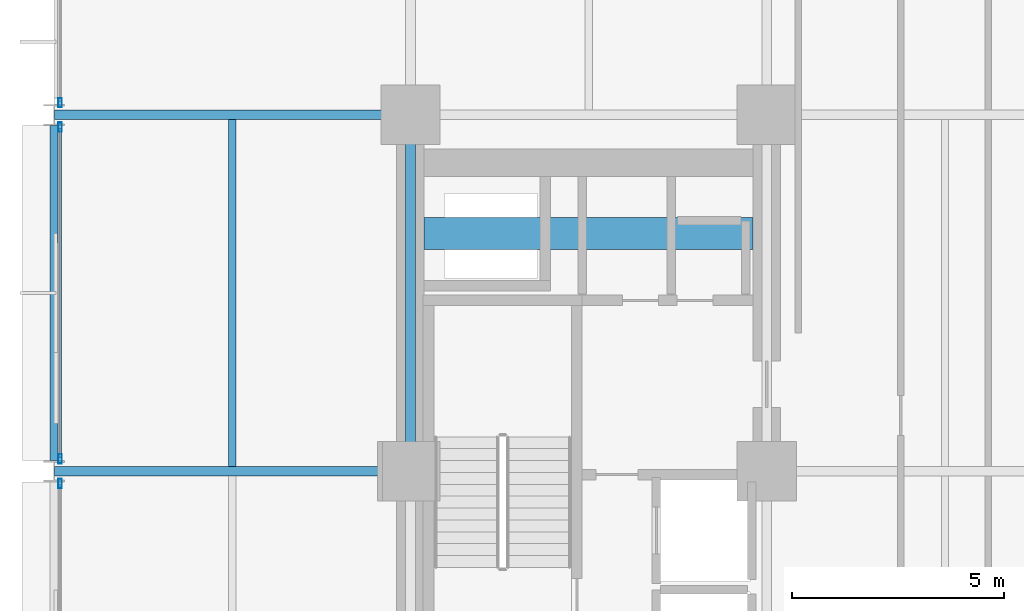
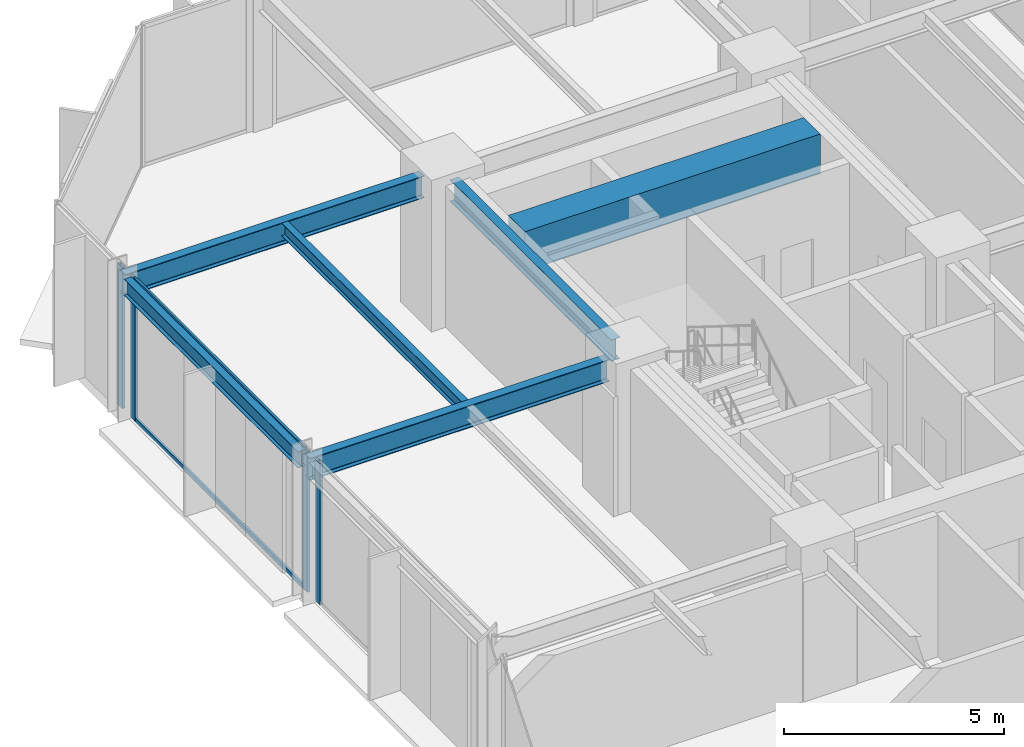
# One storey, part 16 of 30: 6 beams, 6 members, 3 elements without a shape of their own.
"""IFC4 building model written with IfcOpenShell, lengths in metres."""

from ifc_helpers import new_model, si_unit, direction, frame, origin, origin_2d, place, context, subcontext, project, spatial, rectangle, hollow_rectangle, i_section, extrude, material, layer, layer_set, material_profile, profile_set, type_object, element, aggregate, save


model = new_model("IFC4")

# Units and contexts
model_context = context("Model", 3, precision=1e-05, world=origin(), true_north=direction((0.0, 1.0)))
body_context = subcontext(model_context, "Body", "Model", "MODEL_VIEW")
ifc_project = project(units=[si_unit("LENGTHUNIT", "METRE"), si_unit("AREAUNIT", "SQUARE_METRE"), si_unit("VOLUMEUNIT", "CUBIC_METRE"), si_unit("PLANEANGLEUNIT", "RADIAN"), si_unit("MASSUNIT", "GRAM", prefix="KILO")], contexts=[model_context])

# Site, building, storey
site_placement = place(None, origin())
site = spatial("IfcSite", under=ifc_project, at=site_placement, CompositionType="ELEMENT")
building_placement = place(site_placement, origin())
building = spatial("IfcBuilding", under=site, at=building_placement, Name="Nerrivon Quay Data Exchange", CompositionType="ELEMENT")
storey_placement = place(building_placement, frame((0.0, 0.0, 62.60009765625)))
storey = spatial("IfcBuildingStorey", under=building, at=storey_placement, Name="L14", CompositionType="ELEMENT", Elevation=62.60009765625)

# Beams
ifc_material_1 = material(Name="Concrete S65 (65 MPa)", Category="concrete")
ifc_material_profile_1 = material_profile(ifc_material_1, rectangle(XDim=0.75, YDim=1.10009765625, at=origin_2d()), Name="RC-CB-750x1100")
ifc_profile_set_1 = profile_set([ifc_material_profile_1], Name="Concrete S65 (65 MPa)")
beam_type_1 = type_object("IfcBeamType", Name="BM-CB1-750x1100", PredefinedType="LINTEL", material=ifc_profile_set_1)
beam_1_placement = place(storey_placement, frame((8.72509765625, 39.199951171875, 3.375), z_axis=(1.0, 0.0, 0.0), x_axis=(0.0, 1.0, 0.0)))
element("IfcBeam", 1, at=beam_1_placement, inside=storey, type_object=beam_type_1, Name="L14 West Core Coupling Beam", PredefinedType="LINTEL", context=body_context, shape_type="SweptSolid", body=[
    extrude(rectangle(XDim=0.75, YDim=1.10009765625, at=origin_2d()), origin(), (0.0, 0.0, 1.0), 7.75),
])
ifc_material_2 = material(Name="Steel Grade 350", Category="steel")
ifc_material_profile_2 = material_profile(ifc_material_2, i_section(OverallWidth=0.22900390625, OverallDepth=0.612060546875, WebThickness=0.011962890625, FlangeThickness=0.01953125, FilletRadius=0.013916015625, at=origin_2d()), Name="610UB125")
ifc_profile_set_2 = profile_set([ifc_material_profile_2], Name="Steel Grade 350")
beam_type_2 = type_object("IfcBeamType", Name="BM-G1-610UB125", PredefinedType="BEAM", material=ifc_profile_set_2)
for number, where, z_axis, x_axis, name in (
    (2, (0.013916015625, 33.60009765625, 3.618896484375), (1.0, 0.0, 0.0), (0.0, 1.0, 0.0), "L14 EW Girder Y=33.6 (0.0..8.4)"),
    (3, (0.013916015625, 42.0, 3.618896484375), (1.0, 0.0, 0.0), (0.0, 1.0, 0.0), "L14 EW Girder Y=42.0 (0.0..8.4)"),
):
    element("IfcBeam", number, at=place(storey_placement, frame(where, z_axis=z_axis, x_axis=x_axis)), inside=storey, type_object=beam_type_2, Name=name, PredefinedType="BEAM", context=body_context, shape_type="SweptSolid", body=[
        extrude(i_section(OverallWidth=0.22900390625, OverallDepth=0.612060546875, WebThickness=0.011962890625, FlangeThickness=0.01953125, FilletRadius=0.013916015625, at=origin_2d()), origin(), (0.0, 0.0, 1.0), 7.84619140625),
    ])
ifc_material_profile_3 = material_profile(ifc_material_2, i_section(OverallWidth=0.22802734375, OverallDepth=0.60205078125, WebThickness=0.010498046875, FlangeThickness=0.014892578125, FilletRadius=0.013916015625, at=origin_2d()), Name="610UB101")
ifc_profile_set_3 = profile_set([ifc_material_profile_3], Name="Steel Grade 350")
beam_type_3 = type_object("IfcBeamType", Name="BM-G2-610UB101", PredefinedType="BEAM", material=ifc_profile_set_3)
beam_2_placement = place(storey_placement, frame((8.39990234375, 34.139892578125, 3.6240234375), z_axis=(0.0, 1.0, 0.0), x_axis=(-1.0, 0.0, 0.0)))
element("IfcBeam", 4, at=beam_2_placement, inside=storey, type_object=beam_type_3, Name="L14 NS Girder X=8.4 (33.6..42.0)", PredefinedType="BEAM", context=body_context, shape_type="SweptSolid", body=[
    extrude(i_section(OverallWidth=0.22802734375, OverallDepth=0.60205078125, WebThickness=0.010498046875, FlangeThickness=0.014892578125, FilletRadius=0.013916015625, at=origin_2d()), origin(), (0.0, 0.0, 1.0), 7.320068359375),
])
ifc_material_profile_4 = material_profile(ifc_material_2, i_section(OverallWidth=0.172119140625, OverallDepth=0.35888671875, WebThickness=0.008056640625, FlangeThickness=0.012939453125, FilletRadius=0.011474609375, at=origin_2d()), Name="360UB56.7")
ifc_profile_set_4 = profile_set([ifc_material_profile_4], Name="Steel Grade 350")
beam_type_4 = type_object("IfcBeamType", Name="BM-J3-360UB57", PredefinedType="JOIST", material=ifc_profile_set_4)
beam_3_placement = place(storey_placement, frame((4.199951171875, 33.714599609375, 3.745361328125), z_axis=(0.0, 1.0, 0.0), x_axis=(-1.0, 0.0, 0.0)))
element("IfcBeam", 5, at=beam_3_placement, inside=storey, type_object=beam_type_4, Name="L14 Secondary Joist X=4.2 (33.6..42.0)", PredefinedType="JOIST", context=body_context, shape_type="SweptSolid", body=[
    extrude(i_section(OverallWidth=0.172119140625, OverallDepth=0.35888671875, WebThickness=0.008056640625, FlangeThickness=0.012939453125, FilletRadius=0.011474609375, at=origin_2d()), origin(), (0.0, 0.0, 1.0), 8.1708984375),
])
ifc_material_profile_5 = material_profile(ifc_material_2, i_section(OverallWidth=0.18994140625, OverallDepth=0.4541015625, WebThickness=0.008544921875, FlangeThickness=0.0126953125, FilletRadius=0.011474609375, at=origin_2d()), Name="460UB67.1")
ifc_profile_set_5 = profile_set([ifc_material_profile_5], Name="Steel Grade 350")
beam_type_5 = type_object("IfcBeamType", Name="BM-SP1-460UB67", PredefinedType="SPANDREL", material=ifc_profile_set_5)
beam_4_placement = place(storey_placement, frame((0.0, 33.85009765625, 3.697998046875), z_axis=(0.0, 1.0, 0.0), x_axis=(-1.0, 0.0, 0.0)))
element("IfcBeam", 6, at=beam_4_placement, inside=storey, type_object=beam_type_5, Name="L14 NS Girder X=0.0 (33.6..42.0)", PredefinedType="SPANDREL", context=body_context, shape_type="SweptSolid", body=[
    extrude(i_section(OverallWidth=0.18994140625, OverallDepth=0.4541015625, WebThickness=0.008544921875, FlangeThickness=0.0126953125, FilletRadius=0.011474609375, at=origin_2d()), origin(), (0.0, 0.0, 1.0), 7.89990234375),
])

# Curtain wall, member
ifc_material_3 = material(Name="Anodised aluminium 6063-T6", Category="aluminium")
ifc_layer = layer(ifc_material_3, 0.219970703125)
ifc_layer_set = layer_set([ifc_layer], Name="Anodised aluminium 6063-T6")
curtain_wall_type = type_object("IfcCurtainWallType", Name="CW-SYS-01", PredefinedType="NOTDEFINED", material=ifc_layer_set)
curtain_wall_1_placement = place(storey_placement, origin())
curtain_wall_1 = element("IfcCurtainWall", 7, at=curtain_wall_1_placement, inside=storey, type_object=curtain_wall_type, Name="L14 Unitised Curtain Wall 20", PredefinedType="NOTDEFINED")
ifc_material_profile_6 = material_profile(ifc_material_3, hollow_rectangle(XDim=0.074951171875, YDim=0.219970703125, WallThickness=0.00390625, at=origin_2d()), Name="ALU-MULL-220x75")
ifc_profile_set_6 = profile_set([ifc_material_profile_6], Name="Anodised aluminium 6063-T6")
member_type_1 = type_object("IfcMemberType", Name="CWM-220x75", PredefinedType="MULLION", material=ifc_profile_set_6)
member_1_placement = place(storey_placement, frame((0.139892578125, 33.3125, 0.0), z_axis=(0.0, 0.0, 1.0), x_axis=(-1.0, 0.0, 0.0)))
member_1 = element("IfcMember", 8, at=member_1_placement, type_object=member_type_1, Name="CW01 mullion 2", PredefinedType="MULLION", context=body_context, shape_type="SweptSolid", body=[
    extrude(hollow_rectangle(XDim=0.074951171875, YDim=0.219970703125, WallThickness=0.00390625, at=origin_2d()), origin(), (0.0, 0.0, 1.0), 3.9248046875),
])
aggregate(curtain_wall_1, [member_1])

# Curtain wall, members
curtain_wall_2_placement = place(storey_placement, origin())
curtain_wall_2 = element("IfcCurtainWall", 9, at=curtain_wall_2_placement, inside=storey, type_object=curtain_wall_type, Name="L14 Unitised Curtain Wall 21", PredefinedType="NOTDEFINED")
member_2_placement = place(storey_placement, frame((0.139892578125, 33.887451171875, 0.0), z_axis=(0.0, 0.0, 1.0), x_axis=(-1.0, 0.0, 0.0)))
member_2 = element("IfcMember", 10, at=member_2_placement, type_object=member_type_1, Name="CW01 mullion 1", PredefinedType="MULLION", context=body_context, shape_type="SweptSolid", body=[
    extrude(hollow_rectangle(XDim=0.074951171875, YDim=0.219970703125, WallThickness=0.00390625, at=origin_2d()), origin(), (0.0, 0.0, 1.0), 3.9248046875),
])
member_3_placement = place(storey_placement, frame((0.139892578125, 41.71240234375, 0.0), z_axis=(0.0, 0.0, 1.0), x_axis=(-1.0, 0.0, 0.0)))
member_3 = element("IfcMember", 11, at=member_3_placement, type_object=member_type_1, Name="CW01 mullion 2", PredefinedType="MULLION", context=body_context, shape_type="SweptSolid", body=[
    extrude(hollow_rectangle(XDim=0.074951171875, YDim=0.219970703125, WallThickness=0.00390625, at=origin_2d()), origin(), (0.0, 0.0, 1.0), 3.9248046875),
])

# Curtain wall, member
curtain_wall_3_placement = place(storey_placement, origin())
curtain_wall_3 = element("IfcCurtainWall", 12, at=curtain_wall_3_placement, inside=storey, type_object=curtain_wall_type, Name="L14 Unitised Curtain Wall 22", PredefinedType="NOTDEFINED")
member_4_placement = place(storey_placement, frame((0.139892578125, 42.28759765625, 0.0), z_axis=(0.0, 0.0, 1.0), x_axis=(-1.0, 0.0, 0.0)))
member_4 = element("IfcMember", 13, at=member_4_placement, type_object=member_type_1, Name="CW01 mullion 1", PredefinedType="MULLION", context=body_context, shape_type="SweptSolid", body=[
    extrude(hollow_rectangle(XDim=0.074951171875, YDim=0.219970703125, WallThickness=0.00390625, at=origin_2d()), origin(), (0.0, 0.0, 1.0), 3.9248046875),
])
aggregate(curtain_wall_3, [member_4])

# Member
ifc_material_profile_7 = material_profile(ifc_material_3, hollow_rectangle(XDim=0.06005859375, YDim=0.1201171875, WallThickness=0.003173828125, at=origin_2d()), Name="ALU-TRAN-120x60")
ifc_profile_set_7 = profile_set([ifc_material_profile_7], Name="Anodised aluminium 6063-T6")
member_type_2 = type_object("IfcMemberType", Name="CWT-120x60", PredefinedType="USERDEFINED", material=ifc_profile_set_7)
member_5_placement = place(storey_placement, frame((0.139892578125, 33.925048828125, 0.032470703125), z_axis=(0.0, 1.0, 0.0), x_axis=(-1.0, 0.0, 0.0)))
member_5 = element("IfcMember", 14, at=member_5_placement, type_object=member_type_2, Name="CW01 transom 1.1", ObjectType="TRANSOM", PredefinedType="USERDEFINED", context=body_context, shape_type="SweptSolid", body=[
    extrude(hollow_rectangle(XDim=0.06005859375, YDim=0.1201171875, WallThickness=0.003173828125, at=origin_2d()), origin(), (0.0, 0.0, 1.0), 7.75),
])

member_6_placement = place(storey_placement, frame((0.139892578125, 33.925048828125, 3.892333984375), z_axis=(0.0, 1.0, 0.0), x_axis=(-1.0, 0.0, 0.0)))
member_6 = element("IfcMember", 15, at=member_6_placement, type_object=member_type_2, Name="CW01 transom 1.2", ObjectType="TRANSOM", PredefinedType="USERDEFINED", context=body_context, shape_type="SweptSolid", body=[
    extrude(hollow_rectangle(XDim=0.06005859375, YDim=0.1201171875, WallThickness=0.003173828125, at=origin_2d()), origin(), (0.0, 0.0, 1.0), 7.75),
])

aggregate(curtain_wall_2, [member_2, member_3, member_5, member_6])

save(model, "model.ifc")
